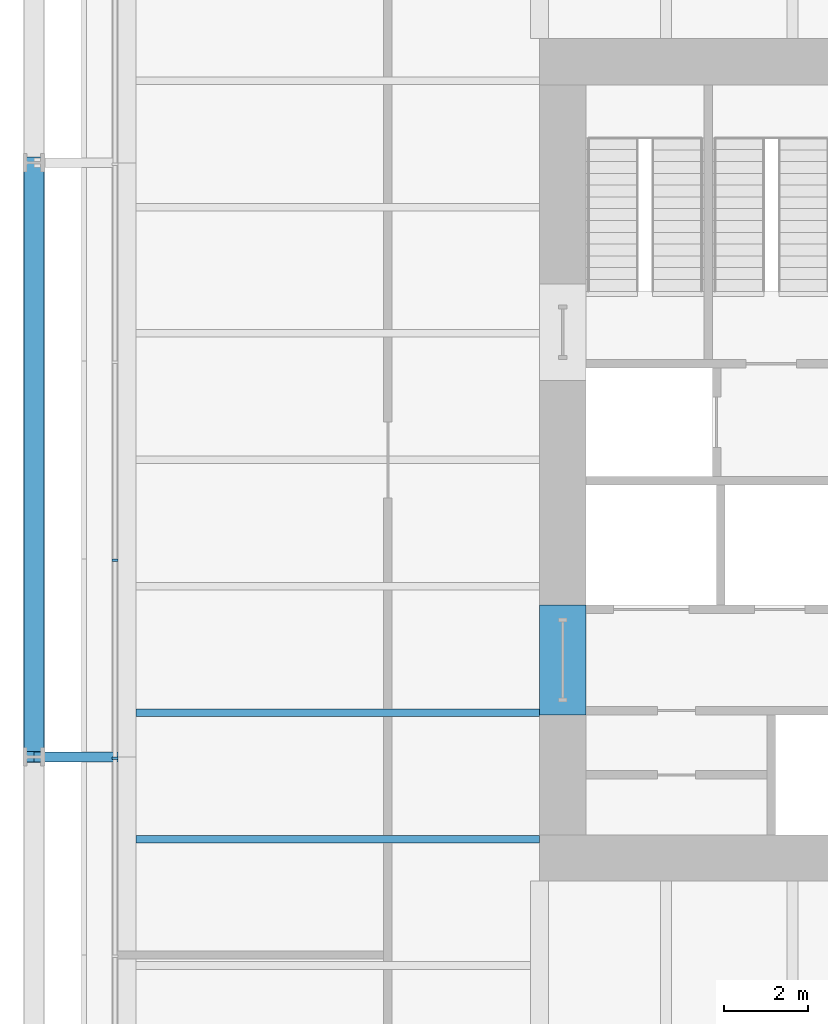
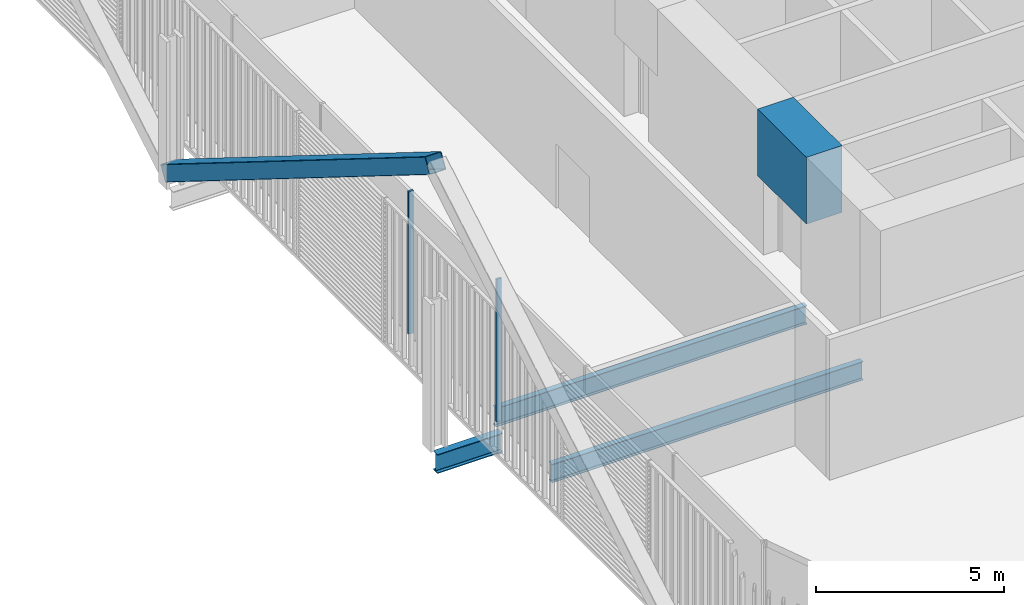
# One storey, part 5 of 22: 4 beams, 3 members, 1 element without a shape of its own.
"""IFC4 building model written with IfcOpenShell, lengths in metres."""

from ifc_helpers import new_model, si_unit, direction, frame, origin, origin_2d, place, context, subcontext, project, spatial, rectangle, hollow_rectangle, i_section, extrude, material, layer, layer_set, material_profile, profile_set, type_object, element, aggregate, save


model = new_model("IFC4")

# Units and contexts
model_context = context("Model", 3, precision=1e-05, world=origin(), true_north=direction((0.0, 1.0)))
body_context = subcontext(model_context, "Body", "Model", "MODEL_VIEW")
ifc_project = project(units=[si_unit("LENGTHUNIT", "METRE"), si_unit("AREAUNIT", "SQUARE_METRE"), si_unit("VOLUMEUNIT", "CUBIC_METRE"), si_unit("PLANEANGLEUNIT", "RADIAN"), si_unit("MASSUNIT", "GRAM", prefix="KILO")], contexts=[model_context])

# Site, building, storey
site_placement = place(None, origin())
site = spatial("IfcSite", under=ifc_project, at=site_placement, CompositionType="ELEMENT")
building_placement = place(site_placement, origin())
building = spatial("IfcBuilding", under=site, at=building_placement, Name="Millrace Tower", CompositionType="ELEMENT")
storey_placement = place(building_placement, frame((0.0, 0.0, 35.300048828125)))
storey = spatial("IfcBuildingStorey", under=building, at=storey_placement, Name="L08", CompositionType="ELEMENT", Elevation=35.300048828125)

# Curtain wall, members
ifc_material_1 = material(Name="Aluminium and glass", Category="aluminium")
ifc_layer = layer(ifc_material_1, 0.14990234375)
ifc_layer_set = layer_set([ifc_layer], Name="Aluminium and glass")
curtain_wall_type = type_object("IfcCurtainWallType", Name="CW-2 data hall insulated curtain wall", PredefinedType="NOTDEFINED", material=ifc_layer_set)
curtain_wall_placement = place(storey_placement, origin())
curtain_wall = element("IfcCurtainWall", 1, at=curtain_wall_placement, inside=storey, type_object=curtain_wall_type, Name="Curtain wall A-F08 L08", PredefinedType="NOTDEFINED")
ifc_material_2 = material(Name="Aluminium", Category="aluminium")
ifc_material_profile_1 = material_profile(ifc_material_2, rectangle(XDim=0.06494140625, YDim=0.14990234375, at=origin_2d()))
ifc_profile_set_1 = profile_set([ifc_material_profile_1], Name="Aluminium")
member_type_1 = type_object("IfcMemberType", Name="CW-2 data hall insulated curtain wall mullion", PredefinedType="MULLION", material=ifc_profile_set_1)
member_1_placement = place(storey_placement, frame((-25.074951171875, -2.382568359375, 0.159912109375), z_axis=(0.0, 0.0, 1.0), x_axis=(0.0, -1.0, 0.0)))
member_1 = element("IfcMember", 2, at=member_1_placement, type_object=member_type_1, Name="CW2 mullion A-F08.6", PredefinedType="MULLION", context=body_context, shape_type="SweptSolid", body=[
    extrude(rectangle(XDim=0.06494140625, YDim=0.14990234375, at=origin_2d()), origin(), (0.0, 0.0, 1.0), 4.64013671875),
])
member_2_placement = place(storey_placement, frame((-25.074951171875, -7.08251953125, 0.159912109375), z_axis=(0.0, 0.0, 1.0), x_axis=(0.0, -1.0, 0.0)))
member_2 = element("IfcMember", 3, at=member_2_placement, type_object=member_type_1, Name="CW2 mullion A-F08.7", PredefinedType="MULLION", context=body_context, shape_type="SweptSolid", body=[
    extrude(rectangle(XDim=0.06494140625, YDim=0.14990234375, at=origin_2d()), origin(), (0.0, 0.0, 1.0), 4.64013671875),
])
aggregate(curtain_wall, [member_1, member_2])

# Beam
ifc_material_3 = material(Name="Concrete C80", Category="concrete")
ifc_material_profile_2 = material_profile(ifc_material_3, rectangle(XDim=1.10009765625, YDim=2.175048828125, at=origin_2d()))
ifc_profile_set_2 = profile_set([ifc_material_profile_2], Name="Concrete C80")
beam_type_1 = type_object("IfcBeamType", Name="Coupling beam 1100 x 2175 Concrete C80, 2000 opening", PredefinedType="BEAM", material=ifc_profile_set_2)
beam_1_placement = place(storey_placement, frame((-14.449951171875, -6.050048828125, 3.487548828125), z_axis=(0.0, 1.0, 0.0), x_axis=(-1.0, 0.0, 0.0)))
element("IfcBeam", 4, at=beam_1_placement, inside=storey, type_object=beam_type_1, Name="Coupling beam W L08", PredefinedType="BEAM", context=body_context, shape_type="SweptSolid", body=[
    extrude(rectangle(XDim=1.10009765625, YDim=2.175048828125, at=origin_2d()), origin(), (0.0, 0.0, 1.0), 2.60009765625),
])

# Member
ifc_material_4 = material(Name="Steel ASTM A500 Grade C", Category="steel")
ifc_material_profile_3 = material_profile(ifc_material_4, hollow_rectangle(XDim=0.508056640625, YDim=0.508056640625, WallThickness=0.01904296875, InnerFilletRadius=0.009521484375, OuterFilletRadius=0.028564453125, at=origin_2d()))
ifc_profile_set_3 = profile_set([ifc_material_profile_3], Name="Steel ASTM A500 Grade C")
member_type_2 = type_object("IfcMemberType", Name="Exoskeleton brace HSS20x20x3/4", PredefinedType="BRACE", material=ifc_profile_set_3)
member_3_placement = place(storey_placement, frame((-27.0, 7.050048828125, 0.39990234375), z_axis=(0.0, -0.848336468551, 0.529457492276), x_axis=(1.0, 0.0, 0.0)))
element("IfcMember", 5, at=member_3_placement, inside=storey, type_object=member_type_2, Name="BRC-A-L08-15", PredefinedType="BRACE", context=body_context, shape_type="SweptSolid", body=[
    extrude(hollow_rectangle(XDim=0.508056640625, YDim=0.508056640625, WallThickness=0.01904296875, InnerFilletRadius=0.009521484375, OuterFilletRadius=0.028564453125, at=origin_2d()), origin(), (0.0, 0.0, 1.0), 16.620849609375),
])

# Beams
ifc_material_5 = material(Name="Steel ASTM A992 Grade 50", Category="steel")
ifc_material_profile_4 = material_profile(ifc_material_5, i_section(OverallWidth=0.1787109375, OverallDepth=0.60205078125, WebThickness=0.010986328125, FlangeThickness=0.014892578125, FilletRadius=0.0126953125, at=origin_2d()))
ifc_profile_set_4 = profile_set([ifc_material_profile_4], Name="Steel ASTM A992 Grade 50")
beam_type_2 = type_object("IfcBeamType", Name="Floor beam W24x62", PredefinedType="JOIST", material=ifc_profile_set_4)
for number, where, z_axis, x_axis, name in (
    (6, (-24.578369140625, -9.0, -0.526123046875), (1.0, 0.0, 0.0), (0.0, 1.0, 0.0), "BM-A-L08-S1-S012"),
    (7, (-24.578369140625, -6.0, -0.526123046875), (1.0, 0.0, 0.0), (0.0, 1.0, 0.0), "BM-A-L08-S1-S015"),
):
    element("IfcBeam", number, at=place(storey_placement, frame(where, z_axis=z_axis, x_axis=x_axis)), inside=storey, type_object=beam_type_2, Name=name, PredefinedType="JOIST", context=body_context, shape_type="SweptSolid", body=[
        extrude(i_section(OverallWidth=0.1787109375, OverallDepth=0.60205078125, WebThickness=0.010986328125, FlangeThickness=0.014892578125, FilletRadius=0.0126953125, at=origin_2d()), origin(), (0.0, 0.0, 1.0), 9.578369140625),
    ])
ifc_material_6 = material(Name="Steel ASTM A992 Grade 50", Category="steel")
ifc_material_profile_5 = material_profile(ifc_material_6, i_section(OverallWidth=0.23046875, OverallDepth=0.6171875, WebThickness=0.01318359375, FlangeThickness=0.022216796875, FilletRadius=0.012939453125, at=origin_2d()))
ifc_profile_set_5 = profile_set([ifc_material_profile_5], Name="Steel ASTM A992 Grade 50")
beam_type_3 = type_object("IfcBeamType", Name="Link beam W24x94", PredefinedType="BEAM", material=ifc_profile_set_5)
beam_2_placement = place(storey_placement, frame((-25.0, -7.050048828125, -0.53369140625), z_axis=(-1.0, 0.0, 0.0), x_axis=(0.0, -1.0, 0.0)))
element("IfcBeam", 8, at=beam_2_placement, inside=storey, type_object=beam_type_3, Name="LNK-A-L08-S1-02", PredefinedType="BEAM", context=body_context, shape_type="SweptSolid", body=[
    extrude(i_section(OverallWidth=0.23046875, OverallDepth=0.6171875, WebThickness=0.01318359375, FlangeThickness=0.022216796875, FilletRadius=0.012939453125, at=origin_2d()), origin(), (0.0, 0.0, 1.0), 2.0),
])

save(model, "model.ifc")
